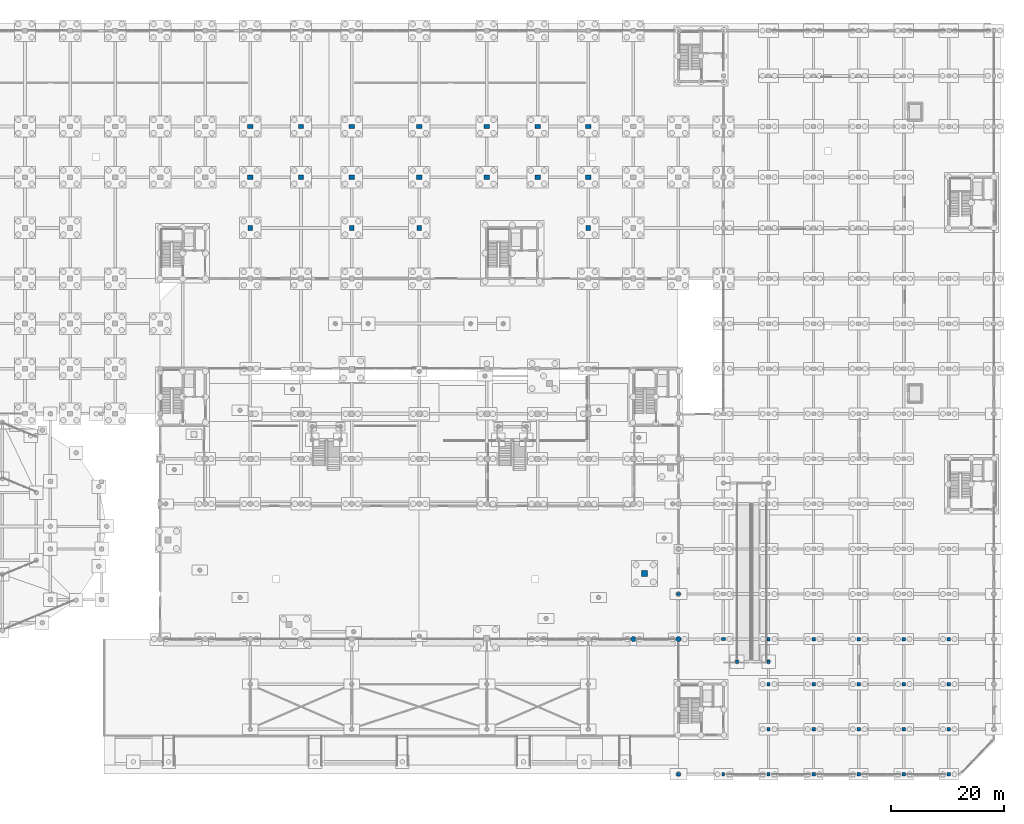
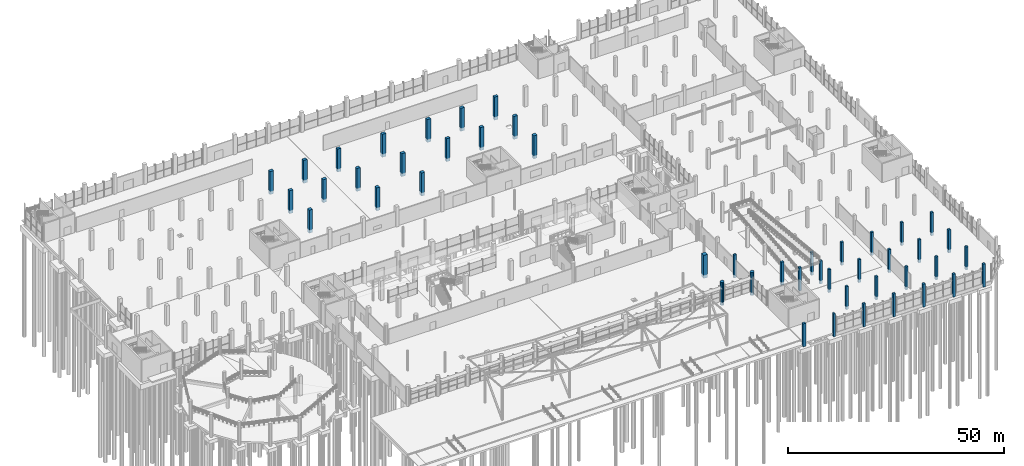
# One storey, part 26 of 98: 47 columns.
"""IFC4 building model written with IfcOpenShell, lengths in metres."""

from ifc_helpers import new_model, si_unit, derived_unit, direction, frame, origin, origin_2d, place, context, subcontext, project, spatial, rectangle, circle, extrude, material, material_profile, profile_set, type_object, element, save


model = new_model("IFC4")

# Units and contexts
model_context = context("Model", 3, precision=1e-05, world=origin(), true_north=direction((0.0, 1.0)))
body_context = subcontext(model_context, "Body", "Model", "MODEL_VIEW")
ifc_project = project(units=[si_unit("LENGTHUNIT", "METRE"), si_unit("AREAUNIT", "SQUARE_METRE"), si_unit("VOLUMEUNIT", "CUBIC_METRE"), si_unit("PLANEANGLEUNIT", "RADIAN"), si_unit("MASSUNIT", "GRAM", prefix="KILO"), si_unit("THERMODYNAMICTEMPERATUREUNIT", "KELVIN"), derived_unit("THERMALTRANSMITTANCEUNIT", [(si_unit("POWERUNIT", "WATT"), 1), (si_unit("AREAUNIT", "SQUARE_METRE"), -1), (si_unit("THERMODYNAMICTEMPERATUREUNIT", "KELVIN"), -1)])], contexts=[model_context])

# Site, building, storey
site_placement = place(None, origin())
site = spatial("IfcSite", under=ifc_project, at=site_placement, CompositionType="ELEMENT")
building_placement = place(site_placement, origin())
building = spatial("IfcBuilding", under=site, at=building_placement, Name="Haiyu Intermodal Mobility Hub", CompositionType="ELEMENT")
storey_placement = place(building_placement, origin())
storey = spatial("IfcBuildingStorey", under=building, at=storey_placement, Name="L00", CompositionType="ELEMENT", Elevation=0.0)

# Columns
ifc_material_1 = material(Name="Precast concrete C40", Category="concrete")
ifc_material_profile_1 = material_profile(ifc_material_1, rectangle(XDim=0.85009765625, YDim=0.85009765625, at=origin_2d()), Name="RC850x850")
ifc_profile_set_1 = profile_set([ifc_material_profile_1], Name="Precast concrete C40")
column_type_1 = type_object("IfcColumnType", Name="COL-CC01", PredefinedType="COLUMN", material=ifc_profile_set_1)
for number, where, z_axis, x_axis, name in (
    (1, (78.0, 113.0, -0.89990234375), (0.0, 0.0, 1.0), (1.0, 0.0, 0.0), "Column V3S-9N L00"),
    (2, (96.0, 113.0, -0.89990234375), (0.0, 0.0, 1.0), (1.0, 0.0, 0.0), "Column V3S-11N L00"),
    (3, (108.0, 113.0, -0.89990234375), (0.0, 0.0, 1.0), (1.0, 0.0, 0.0), "Column V3S-12N L00"),
    (4, (138.0, 113.0, -0.89990234375), (0.0, 0.0, 1.0), (1.0, 0.0, 0.0), "Column V3S-15N L00"),
):
    element("IfcColumn", number, at=place(storey_placement, frame(where, z_axis=z_axis, x_axis=x_axis)), inside=storey, type_object=column_type_1, Name=name, PredefinedType="COLUMN", context=body_context, shape_type="SweptSolid", body=[
        extrude(rectangle(XDim=0.85009765625, YDim=0.85009765625, at=origin_2d()), origin(), (0.0, 0.0, 1.0), 6.5),
    ])
ifc_material_2 = material(Name="Concrete C40", Category="concrete")
ifc_material_profile_2 = material_profile(ifc_material_2, rectangle(XDim=0.60009765625, YDim=0.60009765625, at=origin_2d()), Name="RC600x600")
ifc_profile_set_2 = profile_set([ifc_material_profile_2], Name="Concrete C40")
column_type_2 = type_object("IfcColumnType", Name="COL-CC10", PredefinedType="COLUMN", material=ifc_profile_set_2)
for number, where, z_axis, x_axis, name in (
    (5, (170.0, 24.0, -0.89990234375), (0.0, 0.0, 1.0), (1.0, 0.0, 0.0), "Column V5-19B L00"),
    (6, (170.0, 32.0, -0.89990234375), (0.0, 0.0, 1.0), (1.0, 0.0, 0.0), "Column V5-19C L00"),
    (7, (170.0, 40.0, -0.89990234375), (0.0, 0.0, 1.0), (1.0, 0.0, 0.0), "Column V5-19D L00"),
    (8, (178.0, 24.0, -0.89990234375), (0.0, 0.0, 1.0), (1.0, 0.0, 0.0), "Column V5-20B L00"),
    (9, (178.0, 32.0, -0.89990234375), (0.0, 0.0, 1.0), (1.0, 0.0, 0.0), "Column V5-20C L00"),
    (10, (178.0, 40.0, -0.89990234375), (0.0, 0.0, 1.0), (1.0, 0.0, 0.0), "Column V5-20D L00"),
    (11, (186.0, 24.0, -0.89990234375), (0.0, 0.0, 1.0), (1.0, 0.0, 0.0), "Column V5-21B L00"),
    (12, (186.0, 32.0, -0.89990234375), (0.0, 0.0, 1.0), (1.0, 0.0, 0.0), "Column V5-21C L00"),
    (13, (186.0, 40.0, -0.89990234375), (0.0, 0.0, 1.0), (1.0, 0.0, 0.0), "Column V5-21D L00"),
    (14, (194.0, 24.0, -0.89990234375), (0.0, 0.0, 1.0), (1.0, 0.0, 0.0), "Column V5-22B L00"),
    (15, (194.0, 32.0, -0.89990234375), (0.0, 0.0, 1.0), (1.0, 0.0, 0.0), "Column V5-22C L00"),
    (16, (194.0, 40.0, -0.89990234375), (0.0, 0.0, 1.0), (1.0, 0.0, 0.0), "Column V5-22D L00"),
    (17, (202.0, 24.0, -0.89990234375), (0.0, 0.0, 1.0), (1.0, 0.0, 0.0), "Column V5-23B L00"),
    (18, (202.0, 32.0, -0.89990234375), (0.0, 0.0, 1.0), (1.0, 0.0, 0.0), "Column V5-23C L00"),
    (19, (202.0, 40.0, -0.89990234375), (0.0, 0.0, 1.0), (1.0, 0.0, 0.0), "Column V5-23D L00"),
    (20, (164.39990234375, 36.0, -0.89990234375), (0.0, 0.0, 1.0), (1.0, 0.0, 0.0), "Column BRMP-1 L00"),
    (21, (170.0, 36.0, -0.89990234375), (0.0, 0.0, 1.0), (1.0, 0.0, 0.0), "Column BRMP-2 L00"),
):
    element("IfcColumn", number, at=place(storey_placement, frame(where, z_axis=z_axis, x_axis=x_axis)), inside=storey, type_object=column_type_2, Name=name, PredefinedType="COLUMN", context=body_context, shape_type="SweptSolid", body=[
        extrude(rectangle(XDim=0.60009765625, YDim=0.60009765625, at=origin_2d()), origin(), (0.0, 0.0, 1.0), 6.5),
    ])
ifc_material_profile_3 = material_profile(ifc_material_2, rectangle(XDim=0.60009765625, YDim=0.60009765625, at=origin_2d()), Name="RC600x600")
ifc_profile_set_3 = profile_set([ifc_material_profile_3], Name="Concrete C40")
column_type_3 = type_object("IfcColumnType", Name="COL-CC10-EXT", PredefinedType="COLUMN", material=ifc_profile_set_3)
for number, where, z_axis, x_axis, name in (
    (22, (170.0, 16.0, -0.89990234375), (0.0, 0.0, 1.0), (1.0, 0.0, 0.0), "Column V5-19A L00"),
    (23, (178.0, 16.0, -0.89990234375), (0.0, 0.0, 1.0), (1.0, 0.0, 0.0), "Column V5-20A L00"),
    (24, (186.0, 16.0, -0.89990234375), (0.0, 0.0, 1.0), (1.0, 0.0, 0.0), "Column V5-21A L00"),
    (25, (194.0, 16.0, -0.89990234375), (0.0, 0.0, 1.0), (1.0, 0.0, 0.0), "Column V5-22A L00"),
    (26, (202.0, 16.0, -0.89990234375), (0.0, 0.0, 1.0), (1.0, 0.0, 0.0), "Column V5-23A L00"),
):
    element("IfcColumn", number, at=place(storey_placement, frame(where, z_axis=z_axis, x_axis=x_axis)), inside=storey, type_object=column_type_3, Name=name, PredefinedType="COLUMN", context=body_context, shape_type="SweptSolid", body=[
        extrude(rectangle(XDim=0.60009765625, YDim=0.60009765625, at=origin_2d()), origin(), (0.0, 0.0, 1.0), 6.5),
    ])
ifc_material_profile_4 = material_profile(ifc_material_2, rectangle(XDim=1.050048828125, YDim=1.050048828125, at=origin_2d()), Name="RC1050x1050")
ifc_profile_set_4 = profile_set([ifc_material_profile_4], Name="Concrete C40")
column_type_4 = type_object("IfcColumnType", Name="COL-CC12-EXT", PredefinedType="COLUMN", material=ifc_profile_set_4)
column_1_placement = place(storey_placement, frame((148.010009765625, 51.64990234375, -0.89990234375), z_axis=(0.0, 0.0, 1.0), x_axis=(1.0, 0.0, 0.0)))
element("IfcColumn", 27, at=column_1_placement, inside=storey, type_object=column_type_4, Name="Column MP-08 L00", PredefinedType="COLUMN", context=body_context, shape_type="SweptSolid", body=[
    extrude(rectangle(XDim=1.050048828125, YDim=1.050048828125, at=origin_2d()), origin(), (0.0, 0.0, 1.0), 6.5),
])
ifc_material_profile_5 = material_profile(ifc_material_2, rectangle(XDim=0.699951171875, YDim=0.550048828125, at=origin_2d()), Name="C700x550")
ifc_profile_set_5 = profile_set([ifc_material_profile_5], Name="Concrete C40")
column_type_5 = type_object("IfcColumnType", Name="COL-CC16-EXT", PredefinedType="COLUMN", material=ifc_profile_set_5)
for number, where, z_axis, x_axis, name in (
    (28, (154.0, 16.0, -0.89990234375), (0.0, 0.0, 1.0), (1.0, 0.0, 0.0), "Column V5-17A L00"),
    (29, (154.0, 48.0, -0.89990234375), (0.0, 0.0, 1.0), (1.0, 0.0, 0.0), "Column V5-17E L00"),
    (30, (162.0, 40.0, -0.89990234375), (0.0, 0.0, 1.0), (1.0, 0.0, 0.0), "Column V5-18D L00"),
):
    element("IfcColumn", number, at=place(storey_placement, frame(where, z_axis=z_axis, x_axis=x_axis)), inside=storey, type_object=column_type_5, Name=name, PredefinedType="COLUMN", context=body_context, shape_type="SweptSolid", body=[
        extrude(rectangle(XDim=0.699951171875, YDim=0.550048828125, at=origin_2d()), origin(), (0.0, 0.0, 1.0), 6.5),
    ])
ifc_material_profile_6 = material_profile(ifc_material_1, rectangle(XDim=0.949951171875, YDim=0.75, at=origin_2d()), Name="C950x750")
ifc_profile_set_6 = profile_set([ifc_material_profile_6], Name="Precast concrete C40")
column_type_6 = type_object("IfcColumnType", Name="COL-CC19", PredefinedType="COLUMN", material=ifc_profile_set_6)
for number, where, z_axis, x_axis, name in (
    (31, (78.0, 122.0, -0.89990234375), (0.0, 0.0, 1.0), (1.0, 0.0, 0.0), "Column V4-9P L00"),
    (32, (78.0, 131.0, -0.89990234375), (0.0, 0.0, 1.0), (1.0, 0.0, 0.0), "Column V4-9Q L00"),
    (33, (87.0, 122.0, -0.89990234375), (0.0, 0.0, 1.0), (1.0, 0.0, 0.0), "Column V4-10P L00"),
    (34, (87.0, 131.0, -0.89990234375), (0.0, 0.0, 1.0), (1.0, 0.0, 0.0), "Column V4-10Q L00"),
    (35, (96.0, 122.0, -0.89990234375), (0.0, 0.0, 1.0), (1.0, 0.0, 0.0), "Column V4-11P L00"),
    (36, (96.0, 131.0, -0.89990234375), (0.0, 0.0, 1.0), (1.0, 0.0, 0.0), "Column V4-11Q L00"),
    (37, (108.0, 122.0, -0.89990234375), (0.0, 0.0, 1.0), (1.0, 0.0, 0.0), "Column V4-12P L00"),
    (38, (108.0, 131.0, -0.89990234375), (0.0, 0.0, 1.0), (1.0, 0.0, 0.0), "Column V4-12Q L00"),
    (39, (120.0, 122.0, -0.89990234375), (0.0, 0.0, 1.0), (1.0, 0.0, 0.0), "Column V4-13P L00"),
    (40, (120.0, 131.0, -0.89990234375), (0.0, 0.0, 1.0), (1.0, 0.0, 0.0), "Column V4-13Q L00"),
    (41, (129.0, 122.0, -0.89990234375), (0.0, 0.0, 1.0), (1.0, 0.0, 0.0), "Column V4-14P L00"),
    (42, (129.0, 131.0, -0.89990234375), (0.0, 0.0, 1.0), (1.0, 0.0, 0.0), "Column V4-14Q L00"),
    (43, (138.0, 122.0, -0.89990234375), (0.0, 0.0, 1.0), (1.0, 0.0, 0.0), "Column V4-15P L00"),
    (44, (138.0, 131.0, -0.89990234375), (0.0, 0.0, 1.0), (1.0, 0.0, 0.0), "Column V4-15Q L00"),
):
    element("IfcColumn", number, at=place(storey_placement, frame(where, z_axis=z_axis, x_axis=x_axis)), inside=storey, type_object=column_type_6, Name=name, PredefinedType="COLUMN", context=body_context, shape_type="SweptSolid", body=[
        extrude(rectangle(XDim=0.949951171875, YDim=0.75, at=origin_2d()), origin(), (0.0, 0.0, 1.0), 6.5),
    ])
ifc_material_profile_7 = material_profile(ifc_material_2, circle(Radius=0.47509765625, at=origin_2d()), Name="RCCOL-D950")
ifc_profile_set_7 = profile_set([ifc_material_profile_7], Name="Concrete C40")
column_type_7 = type_object("IfcColumnType", Name="COL-CR03-EXT", PredefinedType="COLUMN", material=ifc_profile_set_7)
for number, where, z_axis, x_axis, name in (
    (45, (146.0, 40.0, -0.89990234375), (0.0, 0.0, 1.0), (1.0, 0.0, 0.0), "Column V1-16D L00"),
    (46, (154.0, 40.0, -0.89990234375), (0.0, 0.0, 1.0), (1.0, 0.0, 0.0), "Column V1-17D L00"),
):
    element("IfcColumn", number, at=place(storey_placement, frame(where, z_axis=z_axis, x_axis=x_axis)), inside=storey, type_object=column_type_7, Name=name, PredefinedType="COLUMN", context=body_context, shape_type="SweptSolid", body=[
        extrude(circle(Radius=0.47509765625, at=origin_2d()), origin(), (0.0, 0.0, 1.0), 6.5),
    ])
ifc_material_profile_8 = material_profile(ifc_material_2, rectangle(XDim=0.449951171875, YDim=0.64990234375, at=origin_2d()), Name="C450x650")
ifc_profile_set_8 = profile_set([ifc_material_profile_8], Name="Concrete C40")
column_type_8 = type_object("IfcColumnType", Name="COL-PL13-EXT", PredefinedType="PILASTER", material=ifc_profile_set_8)
column_2_placement = place(storey_placement, frame((162.0, 16.0, -0.89990234375), z_axis=(0.0, 0.0, 1.0), x_axis=(1.0, 0.0, 0.0)))
element("IfcColumn", 47, at=column_2_placement, inside=storey, type_object=column_type_8, Name="Column V5-18A L00", PredefinedType="PILASTER", context=body_context, shape_type="SweptSolid", body=[
    extrude(rectangle(XDim=0.449951171875, YDim=0.64990234375, at=origin_2d()), origin(), (0.0, 0.0, 1.0), 6.5),
])

save(model, "model.ifc")
